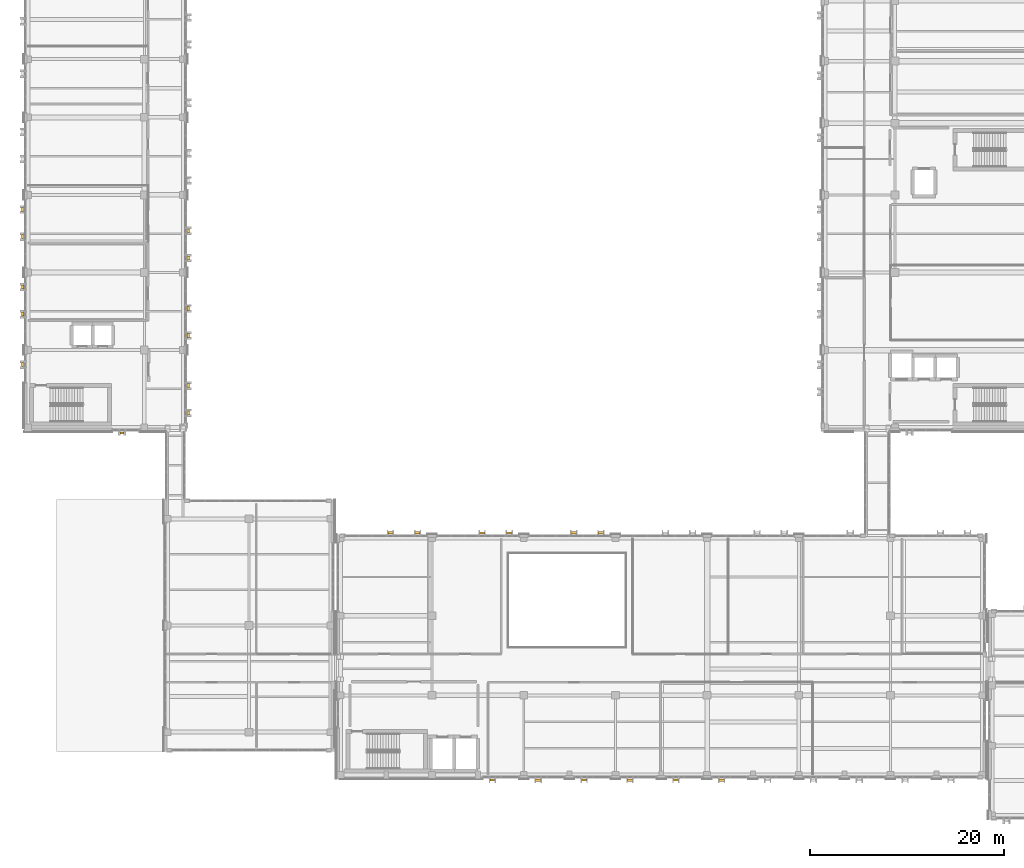
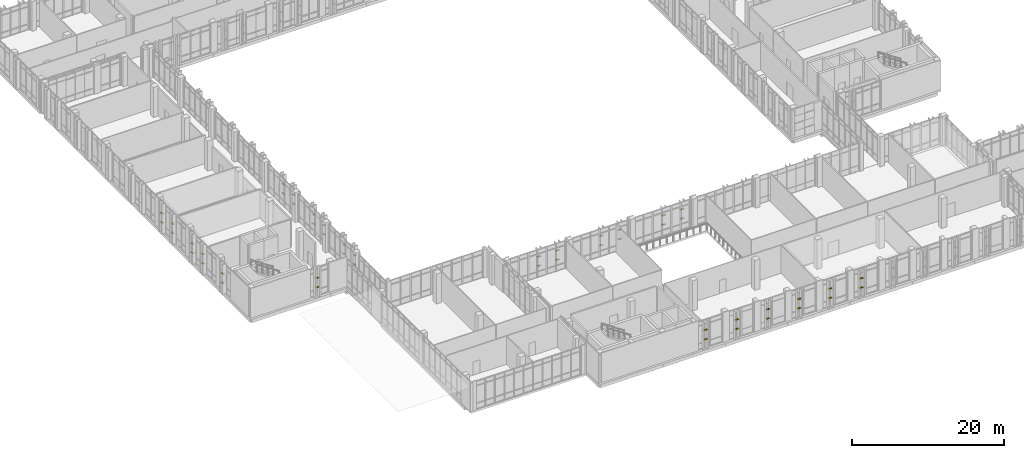
# One storey, part 185 of 189: 48 shading devices.
"""IFC4 building model written with IfcOpenShell, lengths in metres."""

from ifc_helpers import new_model, si_unit, direction, frame, origin, origin_2d, place, context, subcontext, project, spatial, rectangle, extrude, material, type_object, element, save


model = new_model("IFC4")

# Units and contexts
model_context = context("Model", 3, precision=1e-05, world=origin(), true_north=direction((0.0, 1.0)))
body_context = subcontext(model_context, "Body", "Model", "MODEL_VIEW")
ifc_project = project(units=[si_unit("LENGTHUNIT", "METRE"), si_unit("AREAUNIT", "SQUARE_METRE"), si_unit("VOLUMEUNIT", "CUBIC_METRE"), si_unit("PLANEANGLEUNIT", "RADIAN"), si_unit("MASSUNIT", "GRAM", prefix="KILO")], contexts=[model_context])

# Site, building, storey
site_placement = place(None, origin())
site = spatial("IfcSite", under=ifc_project, at=site_placement, CompositionType="ELEMENT")
building_placement = place(site_placement, origin())
building = spatial("IfcBuilding", under=site, at=building_placement, Name="Qalavern Law Courts", CompositionType="ELEMENT")
storey_placement = place(building_placement, frame((0.0, 0.0, 5.39990234375)))
storey = spatial("IfcBuildingStorey", under=building, at=storey_placement, Name="L01", CompositionType="ELEMENT", Elevation=5.39990234375)

# Shading devices
ifc_material = material(Name="Anodised aluminium", Category="aluminium")
shading_device_type_1 = type_object("IfcShadingDeviceType", Name="ENV-LOUV-1", PredefinedType="JALOUSIE", material=ifc_material)
for number, where, z_axis, x_axis, name in (
    (1, (50.301025390625, 5.052490234375, 1.548583984375), (0.0, 0.0, 1.0), (1.0, 0.0, 0.0), "Horizontal sun louvre V2-L01-0-1"),
    (2, (50.301025390625, 5.052490234375, 3.036865234375), (0.0, 0.0, 1.0), (1.0, 0.0, 0.0), "Horizontal sun louvre V2-L01-0-2"),
    (3, (59.756103515625, 5.052490234375, 1.548583984375), (0.0, 0.0, 1.0), (1.0, 0.0, 0.0), "Horizontal sun louvre V2-L01-0-1"),
    (4, (59.756103515625, 5.052490234375, 3.036865234375), (0.0, 0.0, 1.0), (1.0, 0.0, 0.0), "Horizontal sun louvre V2-L01-0-2"),
    (5, (69.2099609375, 5.052490234375, 1.548583984375), (0.0, 0.0, 1.0), (1.0, 0.0, 0.0), "Horizontal sun louvre V2-L01-0-1"),
    (6, (69.2099609375, 5.052490234375, 3.036865234375), (0.0, 0.0, 1.0), (1.0, 0.0, 0.0), "Horizontal sun louvre V2-L01-0-2"),
    (7, (52.028564453125, 30.547607421875, 1.548583984375), (0.0, 0.0, 1.0), (-1.0, 0.0, 0.0), "Horizontal sun louvre V2-L01-0-1"),
    (8, (52.028564453125, 30.547607421875, 3.036865234375), (0.0, 0.0, 1.0), (-1.0, 0.0, 0.0), "Horizontal sun louvre V2-L01-0-2"),
    (9, (49.228515625, 30.547607421875, 1.548583984375), (0.0, 0.0, 1.0), (-1.0, 0.0, 0.0), "Horizontal sun louvre V2-L01-1-1"),
    (10, (49.228515625, 30.547607421875, 3.036865234375), (0.0, 0.0, 1.0), (-1.0, 0.0, 0.0), "Horizontal sun louvre V2-L01-1-2"),
):
    element("IfcShadingDevice", number, at=place(storey_placement, frame(where, z_axis=z_axis, x_axis=x_axis)), inside=storey, type_object=shading_device_type_1, Name=name, PredefinedType="JALOUSIE", context=body_context, shape_type="SweptSolid", body=[
        extrude(rectangle(XDim=0.534912109375, YDim=0.2099609375, at=origin_2d()), origin(), (0.0, 0.0, 1.0), 0.06005859375),
    ])
for number, where, z_axis, x_axis, name in (
    (11, (12.10009765625, 40.87255859375, 1.548583984375), (0.0, 0.0, 1.0), (1.0, 0.0, 0.0), "Horizontal sun louvre V3-L01-0-1"),
    (12, (12.10009765625, 40.87255859375, 3.036865234375), (0.0, 0.0, 1.0), (1.0, 0.0, 0.0), "Horizontal sun louvre V3-L01-0-2"),
    (13, (18.947509765625, 42.919921875, 1.548583984375), (0.0, 0.0, 1.0), (0.0, 1.0, 0.0), "Horizontal sun louvre V3-L01-0-1"),
    (14, (18.947509765625, 42.919921875, 3.036865234375), (0.0, 0.0, 1.0), (0.0, 1.0, 0.0), "Horizontal sun louvre V3-L01-0-2"),
    (15, (18.947509765625, 45.719970703125, 1.548583984375), (0.0, 0.0, 1.0), (0.0, 1.0, 0.0), "Horizontal sun louvre V3-L01-1-1"),
    (16, (18.947509765625, 45.719970703125, 3.036865234375), (0.0, 0.0, 1.0), (0.0, 1.0, 0.0), "Horizontal sun louvre V3-L01-1-2"),
    (17, (18.947509765625, 58.89990234375, 1.548583984375), (0.0, 0.0, 1.0), (0.0, 1.0, 0.0), "Horizontal sun louvre V3-L01-0-1"),
    (18, (18.947509765625, 58.89990234375, 3.036865234375), (0.0, 0.0, 1.0), (0.0, 1.0, 0.0), "Horizontal sun louvre V3-L01-0-2"),
    (19, (18.947509765625, 61.699951171875, 1.548583984375), (0.0, 0.0, 1.0), (0.0, 1.0, 0.0), "Horizontal sun louvre V3-L01-1-1"),
    (20, (18.947509765625, 61.699951171875, 3.036865234375), (0.0, 0.0, 1.0), (0.0, 1.0, 0.0), "Horizontal sun louvre V3-L01-1-2"),
    (21, (1.8525390625, 63.89990234375, 1.548583984375), (0.0, 0.0, 1.0), (0.0, -1.0, 0.0), "Horizontal sun louvre V3-L01-0-1"),
    (22, (1.8525390625, 63.89990234375, 3.036865234375), (0.0, 0.0, 1.0), (0.0, -1.0, 0.0), "Horizontal sun louvre V3-L01-0-2"),
    (23, (1.8525390625, 61.10009765625, 1.548583984375), (0.0, 0.0, 1.0), (0.0, -1.0, 0.0), "Horizontal sun louvre V3-L01-1-1"),
    (24, (1.8525390625, 61.10009765625, 3.036865234375), (0.0, 0.0, 1.0), (0.0, -1.0, 0.0), "Horizontal sun louvre V3-L01-1-2"),
    (25, (1.8525390625, 47.89990234375, 1.548583984375), (0.0, 0.0, 1.0), (0.0, -1.0, 0.0), "Horizontal sun louvre V3-L01-0-1"),
    (26, (1.8525390625, 47.89990234375, 3.036865234375), (0.0, 0.0, 1.0), (0.0, -1.0, 0.0), "Horizontal sun louvre V3-L01-0-2"),
):
    element("IfcShadingDevice", number, at=place(storey_placement, frame(where, z_axis=z_axis, x_axis=x_axis)), inside=storey, type_object=shading_device_type_1, Name=name, PredefinedType="JALOUSIE", context=body_context, shape_type="SweptSolid", body=[
        extrude(rectangle(XDim=0.419921875, YDim=0.2099609375, at=origin_2d()), origin(), (0.0, 0.0, 1.0), 0.06005859375),
    ])
shading_device_type_2 = type_object("IfcShadingDeviceType", Name="ENV-LOUV-2", PredefinedType="JALOUSIE", material=ifc_material)
for number, where, z_axis, x_axis, name in (
    (27, (55.028564453125, 5.052490234375, 1.548583984375), (0.0, 0.0, 1.0), (1.0, 0.0, 0.0), "Horizontal sun louvre V2-L01-0-1"),
    (28, (55.028564453125, 5.052490234375, 3.036865234375), (0.0, 0.0, 1.0), (1.0, 0.0, 0.0), "Horizontal sun louvre V2-L01-0-2"),
    (29, (64.48291015625, 5.052490234375, 1.548583984375), (0.0, 0.0, 1.0), (1.0, 0.0, 0.0), "Horizontal sun louvre V2-L01-0-1"),
    (30, (64.48291015625, 5.052490234375, 3.036865234375), (0.0, 0.0, 1.0), (1.0, 0.0, 0.0), "Horizontal sun louvre V2-L01-0-2"),
    (31, (73.93701171875, 5.052490234375, 1.548583984375), (0.0, 0.0, 1.0), (1.0, 0.0, 0.0), "Horizontal sun louvre V2-L01-0-1"),
    (32, (73.93701171875, 5.052490234375, 3.036865234375), (0.0, 0.0, 1.0), (1.0, 0.0, 0.0), "Horizontal sun louvre V2-L01-0-2"),
    (33, (61.48291015625, 30.547607421875, 1.548583984375), (0.0, 0.0, 1.0), (-1.0, 0.0, 0.0), "Horizontal sun louvre V2-L01-0-1"),
    (34, (61.48291015625, 30.547607421875, 3.036865234375), (0.0, 0.0, 1.0), (-1.0, 0.0, 0.0), "Horizontal sun louvre V2-L01-0-2"),
    (35, (58.682861328125, 30.547607421875, 1.548583984375), (0.0, 0.0, 1.0), (-1.0, 0.0, 0.0), "Horizontal sun louvre V2-L01-1-1"),
    (36, (58.682861328125, 30.547607421875, 3.036865234375), (0.0, 0.0, 1.0), (-1.0, 0.0, 0.0), "Horizontal sun louvre V2-L01-1-2"),
    (37, (42.57421875, 30.547607421875, 1.548583984375), (0.0, 0.0, 1.0), (-1.0, 0.0, 0.0), "Horizontal sun louvre V2-L01-0-1"),
    (38, (42.57421875, 30.547607421875, 3.036865234375), (0.0, 0.0, 1.0), (-1.0, 0.0, 0.0), "Horizontal sun louvre V2-L01-0-2"),
    (39, (39.7744140625, 30.547607421875, 1.548583984375), (0.0, 0.0, 1.0), (-1.0, 0.0, 0.0), "Horizontal sun louvre V2-L01-1-1"),
    (40, (39.7744140625, 30.547607421875, 3.036865234375), (0.0, 0.0, 1.0), (-1.0, 0.0, 0.0), "Horizontal sun louvre V2-L01-1-2"),
):
    element("IfcShadingDevice", number, at=place(storey_placement, frame(where, z_axis=z_axis, x_axis=x_axis)), inside=storey, type_object=shading_device_type_2, Name=name, PredefinedType="JALOUSIE", context=body_context, shape_type="SweptSolid", body=[
        extrude(rectangle(XDim=0.534912109375, YDim=0.25, at=origin_2d()), origin(), (0.0, 0.0, 1.0), 0.06005859375),
    ])
for number, where, z_axis, x_axis, name in (
    (41, (18.947509765625, 50.89990234375, 1.548583984375), (0.0, 0.0, 1.0), (0.0, 1.0, 0.0), "Horizontal sun louvre V3-L01-0-1"),
    (42, (18.947509765625, 50.89990234375, 3.036865234375), (0.0, 0.0, 1.0), (0.0, 1.0, 0.0), "Horizontal sun louvre V3-L01-0-2"),
    (43, (18.947509765625, 53.699951171875, 1.548583984375), (0.0, 0.0, 1.0), (0.0, 1.0, 0.0), "Horizontal sun louvre V3-L01-1-1"),
    (44, (18.947509765625, 53.699951171875, 3.036865234375), (0.0, 0.0, 1.0), (0.0, 1.0, 0.0), "Horizontal sun louvre V3-L01-1-2"),
    (45, (1.8525390625, 55.89990234375, 1.548583984375), (0.0, 0.0, 1.0), (0.0, -1.0, 0.0), "Horizontal sun louvre V3-L01-0-1"),
    (46, (1.8525390625, 55.89990234375, 3.036865234375), (0.0, 0.0, 1.0), (0.0, -1.0, 0.0), "Horizontal sun louvre V3-L01-0-2"),
    (47, (1.8525390625, 53.10009765625, 1.548583984375), (0.0, 0.0, 1.0), (0.0, -1.0, 0.0), "Horizontal sun louvre V3-L01-1-1"),
    (48, (1.8525390625, 53.10009765625, 3.036865234375), (0.0, 0.0, 1.0), (0.0, -1.0, 0.0), "Horizontal sun louvre V3-L01-1-2"),
):
    element("IfcShadingDevice", number, at=place(storey_placement, frame(where, z_axis=z_axis, x_axis=x_axis)), inside=storey, type_object=shading_device_type_2, Name=name, PredefinedType="JALOUSIE", context=body_context, shape_type="SweptSolid", body=[
        extrude(rectangle(XDim=0.419921875, YDim=0.25, at=origin_2d()), origin(), (0.0, 0.0, 1.0), 0.06005859375),
    ])

save(model, "model.ifc")
